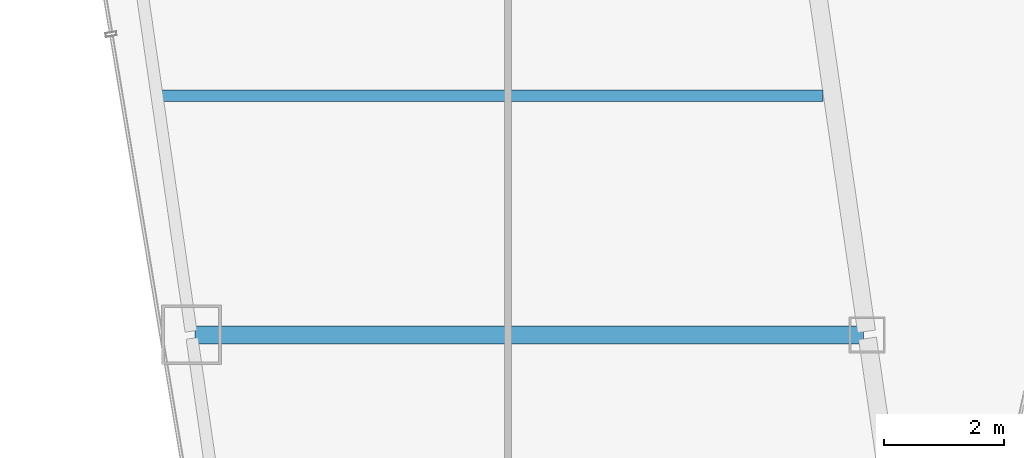
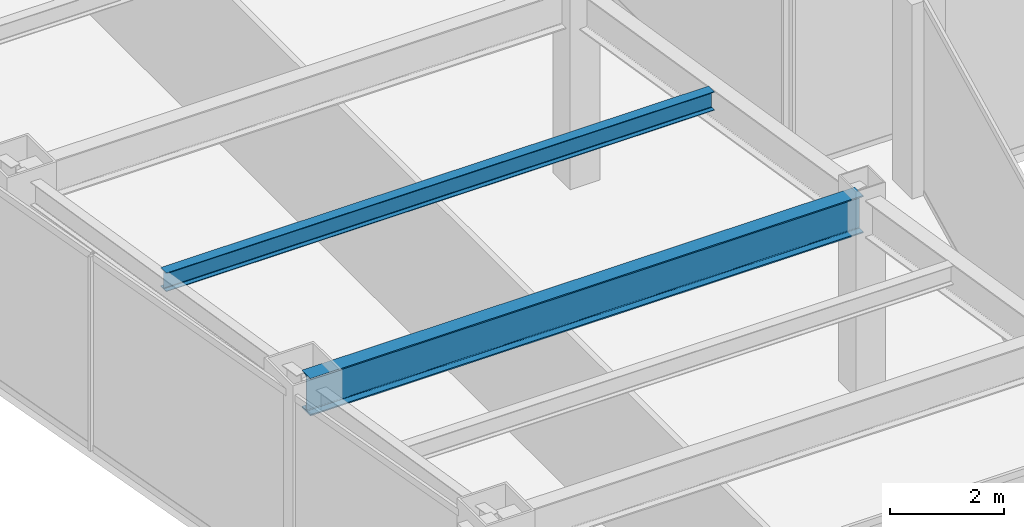
# One storey, part 4 of 37: 2 beams.
"""IFC4 building model written with IfcOpenShell, lengths in metres."""

from ifc_helpers import new_model, si_unit, direction, frame, origin, origin_2d, place, context, subcontext, project, spatial, i_section, extrude, material, material_profile, profile_set, type_object, element, save


model = new_model("IFC4")

# Units and contexts
model_context = context("Model", 3, precision=1e-05, world=origin(), true_north=direction((0.0, 1.0)))
body_context = subcontext(model_context, "Body", "Model", "MODEL_VIEW")
ifc_project = project(units=[si_unit("LENGTHUNIT", "METRE"), si_unit("AREAUNIT", "SQUARE_METRE"), si_unit("VOLUMEUNIT", "CUBIC_METRE"), si_unit("PLANEANGLEUNIT", "RADIAN"), si_unit("MASSUNIT", "GRAM", prefix="KILO")], contexts=[model_context])

# Site, building, storey
site_placement = place(None, origin())
site = spatial("IfcSite", under=ifc_project, at=site_placement, CompositionType="ELEMENT")
building_placement = place(site_placement, origin())
building = spatial("IfcBuilding", under=site, at=building_placement, Name="Saevonmaru Cultural Tower", CompositionType="ELEMENT")
storey_placement = place(building_placement, frame((0.0, 0.0, 110.39990234375)))
storey = spatial("IfcBuildingStorey", under=building, at=storey_placement, Name="L23", CompositionType="ELEMENT", Elevation=110.39990234375)

# Beams
ifc_material_1 = material(Name="Steel SM420", Category="steel")
ifc_material_profile_1 = material_profile(ifc_material_1, i_section(OverallWidth=0.300048828125, OverallDepth=0.800048828125, WebThickness=0.013916015625, FlangeThickness=0.02587890625, FilletRadius=0.028076171875, at=origin_2d()), Name="H-800x300x14x26")
ifc_profile_set_1 = profile_set([ifc_material_profile_1], Name="Steel SM420")
beam_type_1 = type_object("IfcBeamType", Name="BM-G-H800", PredefinedType="BEAM", material=ifc_profile_set_1)
beam_1_placement = place(storey_placement, frame((10.68798828125, 16.0, 3.75), z_axis=(1.0, 0.0, 0.0), x_axis=(0.0, 1.0, 0.0)))
element("IfcBeam", 1, at=beam_1_placement, inside=storey, type_object=beam_type_1, Name="L23 West Wing Transverse Girder 2", PredefinedType="BEAM", context=body_context, shape_type="SweptSolid", body=[
    extrude(i_section(OverallWidth=0.300048828125, OverallDepth=0.800048828125, WebThickness=0.013916015625, FlangeThickness=0.02587890625, FilletRadius=0.028076171875, at=origin_2d()), origin(), (0.0, 0.0, 1.0), 11.179931640625),
])
ifc_material_2 = material(Name="Steel SM355", Category="steel")
ifc_material_profile_2 = material_profile(ifc_material_2, i_section(OverallWidth=0.199951171875, OverallDepth=0.39990234375, WebThickness=0.008056640625, FlangeThickness=0.012939453125, FilletRadius=0.01611328125, at=origin_2d()), Name="H-400x200x8x13")
ifc_profile_set_2 = profile_set([ifc_material_profile_2], Name="Steel SM355")
beam_type_2 = type_object("IfcBeamType", Name="BM-J-H400", PredefinedType="JOIST", material=ifc_profile_set_2)
beam_2_placement = place(storey_placement, frame((10.110107421875, 20.0, 3.9501953125), z_axis=(1.0, 0.0, 0.0), x_axis=(0.0, 1.0, 0.0)))
element("IfcBeam", 2, at=beam_2_placement, inside=storey, type_object=beam_type_2, Name="L23 West Wing Floor Joist 2", PredefinedType="JOIST", context=body_context, shape_type="SweptSolid", body=[
    extrude(i_section(OverallWidth=0.199951171875, OverallDepth=0.39990234375, WebThickness=0.008056640625, FlangeThickness=0.012939453125, FilletRadius=0.01611328125, at=origin_2d()), origin(), (0.0, 0.0, 1.0), 11.081787109375),
])

save(model, "model.ifc")
